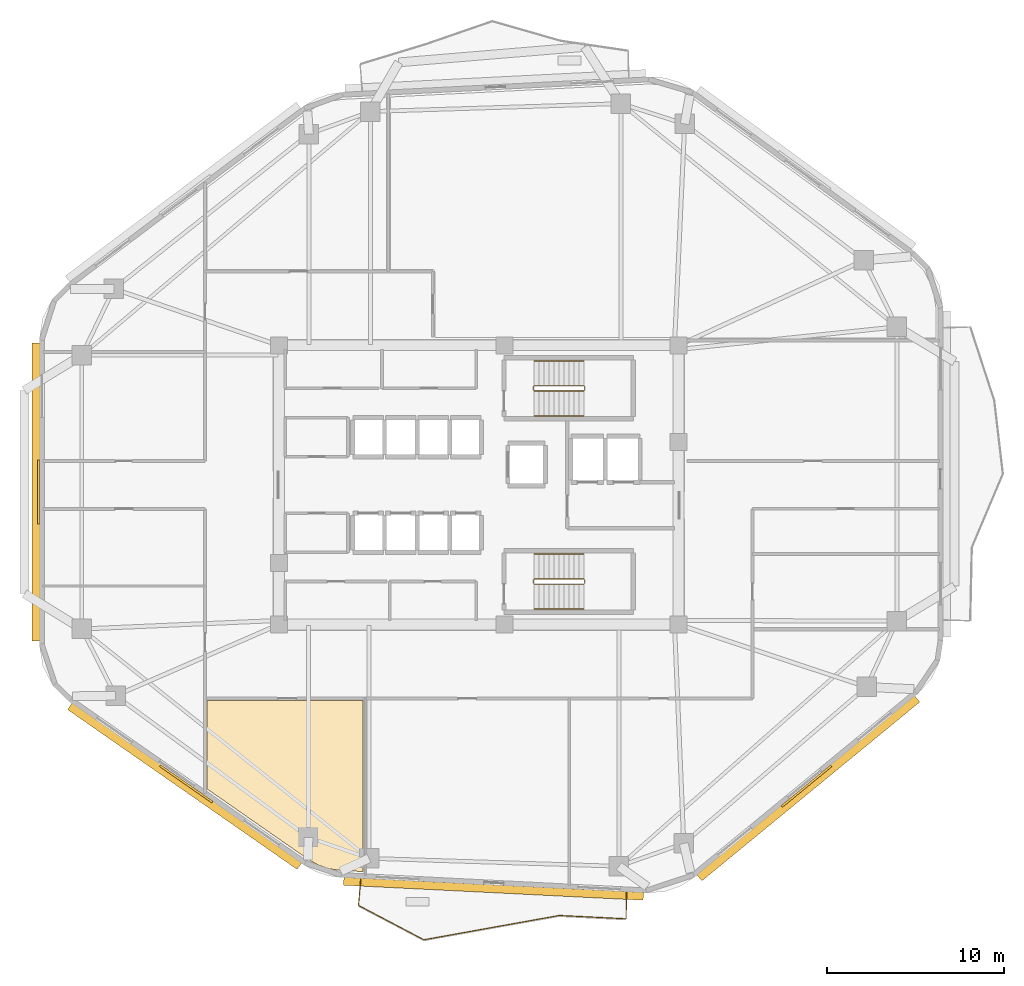
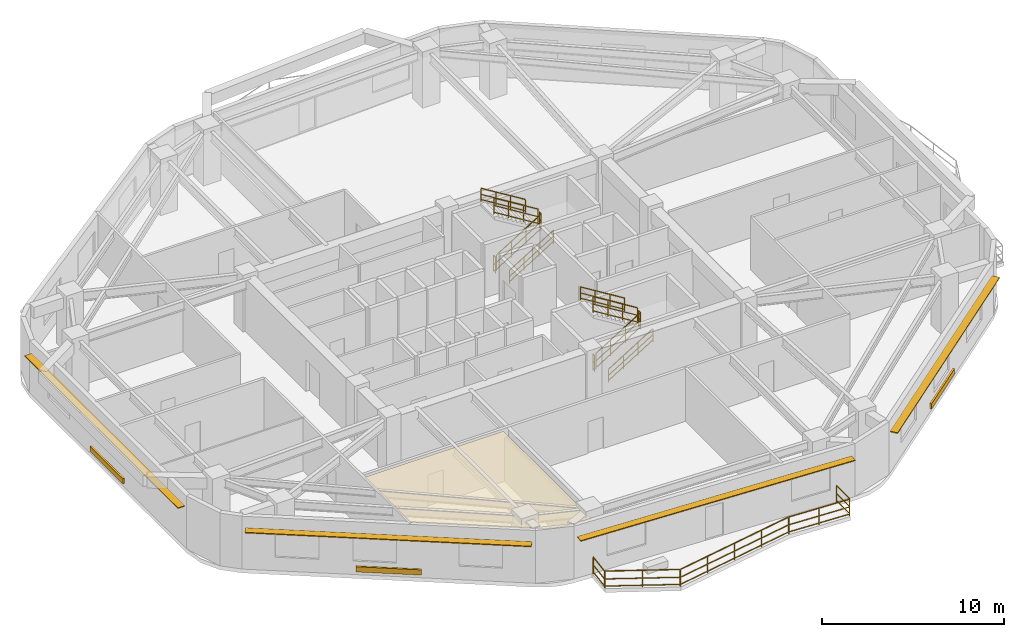
# One storey, part 7 of 8: 17 railings, 7 shading devices, 1 covering.
"""IFC4 building model written with IfcOpenShell, lengths in metres."""

from ifc_helpers import new_model, si_unit, direction, frame, origin, origin_2d, place, context, subcontext, project, spatial, polyline, rectangle, outline, extrude, material, layer, layer_set, type_object, element, save


model = new_model("IFC4")

# Units and contexts
model_context = context("Model", 3, precision=1e-05, world=origin(), true_north=direction((0.0, 1.0)))
body_context = subcontext(model_context, "Body", "Model", "MODEL_VIEW")
ifc_project = project(units=[si_unit("LENGTHUNIT", "METRE"), si_unit("AREAUNIT", "SQUARE_METRE"), si_unit("VOLUMEUNIT", "CUBIC_METRE"), si_unit("PLANEANGLEUNIT", "RADIAN"), si_unit("MASSUNIT", "GRAM", prefix="KILO")], contexts=[model_context])

# Site, building, storey
site_placement = place(None, origin())
site = spatial("IfcSite", under=ifc_project, at=site_placement, CompositionType="ELEMENT")
building_placement = place(site_placement, origin())
building = spatial("IfcBuilding", under=site, at=building_placement, Name="Zulverin Broadcast Headquarters", CompositionType="ELEMENT")
storey_placement = place(building_placement, frame((0.0, 0.0, 136.39990234375)))
storey = spatial("IfcBuildingStorey", under=building, at=storey_placement, Name="L34", CompositionType="ELEMENT", Elevation=136.39990234375)

# Covering
ifc_material_1 = material(Name="Perforated pale-metal acoustic baffle ceiling", Category="aluminium")
ifc_layer_1 = layer(ifc_material_1, 0.0400390625, Name="Perforated pale-metal acoustic baffle ceiling", Category="aluminium")
ifc_layer_set_1 = layer_set([ifc_layer_1], Name="Perforated pale-metal acoustic baffle ceiling")
covering_type = type_object("IfcCoveringType", Name="COV-CEIL-ACOU", PredefinedType="CEILING", material=ifc_layer_set_1)
covering_placement = place(storey_placement, frame((0.0, 0.0, 3.360107421875)))
element("IfcCovering", 1, at=covering_placement, inside=storey, type_object=covering_type, Name="L34 Acoustic Baffle Ceiling 03", PredefinedType="CEILING", context=body_context, shape_type="SweptSolid", body=[
    extrude(outline(polyline([(27.947998046875, 3.748046875), (28.56396484375, 3.535888671875), (29.22802734375, 3.444091796875), (30.47998046875, 3.3798828125), (30.47998046875, 13.031982421875), (21.66796875, 13.031982421875), (21.66796875, 8.0439453125), (27.367919921875, 4.075927734375), (27.947998046875, 3.748046875)])), origin(), (0.0, 0.0, 1.0), 0.0400390625),
])

# Railings
ifc_material_2 = material(Name="Brushed stainless steel & laminated glass balustrade", Category="steel")
railing_type_1 = type_object("IfcRailingType", Name="RL-GUARD-1150", PredefinedType="GUARDRAIL", material=ifc_material_2)
railing_1_placement = place(storey_placement, frame((30.344482421875, 2.94580078125, 0.0)))
element("IfcRailing", 2, at=railing_1_placement, inside=storey, type_object=railing_type_1, Name="L34 Vertical-Forest Balcony Guardrail BAL_S Segment 01", PredefinedType="GUARDRAIL", context=body_context, shape_type="SweptSolid", body=[
    extrude(rectangle(XDim=0.048095703125, YDim=0.048095703125, at=origin_2d()), frame((0.0, 0.0, 1.1259765625), z_axis=(-0.090580785215, -0.995889110971, 0.0), x_axis=(0.995889110971, -0.090580785215, 0.0)), (0.0, 0.0, 1.0), 1.46630859375),
    extrude(rectangle(XDim=0.0419921875, YDim=0.0419921875, at=origin_2d()), frame((0.0, 0.0, 0.597900390625), z_axis=(-0.090580785215, -0.995889110971, 0.0), x_axis=(0.995889110971, -0.090580785215, 0.0)), (0.0, 0.0, 1.0), 1.46630859375),
    extrude(rectangle(XDim=0.0419921875, YDim=0.0419921875, at=origin_2d()), frame((0.0, 0.0, 0.1201171875), z_axis=(-0.090580785215, -0.995889110971, 0.0), x_axis=(0.995889110971, -0.090580785215, 0.0)), (0.0, 0.0, 1.0), 1.46630859375),
    extrude(rectangle(XDim=0.0419921875, YDim=0.0419921875, at=origin_2d()), origin(), (0.0, 0.0, 1.0), 1.101806640625),
    extrude(rectangle(XDim=0.0419921875, YDim=0.0419921875, at=origin_2d()), frame((-0.1328125, -1.460205078125, 0.0)), (0.0, 0.0, 1.0), 1.101806640625),
])
railing_2_placement = place(storey_placement, frame((30.2236328125, 1.4638671875, 0.0)))
element("IfcRailing", 3, at=railing_2_placement, inside=storey, type_object=railing_type_1, Name="L34 Vertical-Forest Balcony Guardrail BAL_S Segment 02", PredefinedType="GUARDRAIL", context=body_context, shape_type="SweptSolid", body=[
    extrude(rectangle(XDim=0.048095703125, YDim=0.048095703125, at=origin_2d()), frame((0.0, 0.0, 1.1259765625), z_axis=(0.885038437672, -0.465517952224, 0.0), x_axis=(0.465517952224, 0.885038437672, 0.0)), (0.0, 0.0, 1.0), 4.139892578125),
    extrude(rectangle(XDim=0.0419921875, YDim=0.0419921875, at=origin_2d()), frame((0.0, 0.0, 0.597900390625), z_axis=(0.885038437672, -0.465517952224, 0.0), x_axis=(0.465517952224, 0.885038437672, 0.0)), (0.0, 0.0, 1.0), 4.139892578125),
    extrude(rectangle(XDim=0.0419921875, YDim=0.0419921875, at=origin_2d()), frame((0.0, 0.0, 0.1201171875), z_axis=(0.885038437672, -0.465517952224, 0.0), x_axis=(0.465517952224, 0.885038437672, 0.0)), (0.0, 0.0, 1.0), 4.139892578125),
    extrude(rectangle(XDim=0.0419921875, YDim=0.0419921875, at=origin_2d()), origin(), (0.0, 0.0, 1.0), 1.101806640625),
    extrude(rectangle(XDim=0.0419921875, YDim=0.0419921875, at=origin_2d()), frame((1.83203125, -0.963623046875, 0.0)), (0.0, 0.0, 1.0), 1.101806640625),
    extrude(rectangle(XDim=0.0419921875, YDim=0.0419921875, at=origin_2d()), frame((3.6640625, -1.92724609375, 0.0)), (0.0, 0.0, 1.0), 1.101806640625),
])
railing_3_placement = place(storey_placement, frame((33.915771484375, -0.4677734375, 0.0)))
element("IfcRailing", 4, at=railing_3_placement, inside=storey, type_object=railing_type_1, Name="L34 Vertical-Forest Balcony Guardrail BAL_S Segment 03", PredefinedType="GUARDRAIL", context=body_context, shape_type="SweptSolid", body=[
    extrude(rectangle(XDim=0.048095703125, YDim=0.048095703125, at=origin_2d()), frame((0.0, 0.0, 1.1259765625), z_axis=(0.984263327316, 0.176707958226, 0.0), x_axis=(-0.176707958226, 0.984263327316, 0.0)), (0.0, 0.0, 1.0), 7.737060546875),
    extrude(rectangle(XDim=0.0419921875, YDim=0.0419921875, at=origin_2d()), frame((0.0, 0.0, 0.597900390625), z_axis=(0.984263327316, 0.176707958226, 0.0), x_axis=(-0.176707958226, 0.984263327316, 0.0)), (0.0, 0.0, 1.0), 7.737060546875),
    extrude(rectangle(XDim=0.0419921875, YDim=0.0419921875, at=origin_2d()), frame((0.0, 0.0, 0.1201171875), z_axis=(0.984263327316, 0.176707958226, 0.0), x_axis=(-0.176707958226, 0.984263327316, 0.0)), (0.0, 0.0, 1.0), 7.737060546875),
    extrude(rectangle(XDim=0.0419921875, YDim=0.0419921875, at=origin_2d()), origin(), (0.0, 0.0, 1.0), 1.101806640625),
    extrude(rectangle(XDim=0.0419921875, YDim=0.0419921875, at=origin_2d()), frame((1.90380859375, 0.341796875, 0.0)), (0.0, 0.0, 1.0), 1.101806640625),
    extrude(rectangle(XDim=0.0419921875, YDim=0.0419921875, at=origin_2d()), frame((3.8076171875, 0.68359375, 0.0)), (0.0, 0.0, 1.0), 1.101806640625),
    extrude(rectangle(XDim=0.0419921875, YDim=0.0419921875, at=origin_2d()), frame((5.71142578125, 1.025390625, 0.0)), (0.0, 0.0, 1.0), 1.101806640625),
    extrude(rectangle(XDim=0.0419921875, YDim=0.0419921875, at=origin_2d()), frame((7.615234375, 1.3671875, 0.0)), (0.0, 0.0, 1.0), 1.101806640625),
])
railing_4_placement = place(storey_placement, frame((41.560791015625, 0.9013671875, 0.0)))
element("IfcRailing", 5, at=railing_4_placement, inside=storey, type_object=railing_type_1, Name="L34 Vertical-Forest Balcony Guardrail BAL_S Segment 04", PredefinedType="GUARDRAIL", context=body_context, shape_type="SweptSolid", body=[
    extrude(rectangle(XDim=0.048095703125, YDim=0.048095703125, at=origin_2d()), frame((0.0, 0.0, 1.1259765625), z_axis=(0.998744702678, -0.05009010754, 0.0), x_axis=(0.05009010754, 0.998744702678, 0.0)), (0.0, 0.0, 1.0), 3.7529296875),
    extrude(rectangle(XDim=0.0419921875, YDim=0.0419921875, at=origin_2d()), frame((0.0, 0.0, 0.597900390625), z_axis=(0.998744702678, -0.05009010754, 0.0), x_axis=(0.05009010754, 0.998744702678, 0.0)), (0.0, 0.0, 1.0), 3.7529296875),
    extrude(rectangle(XDim=0.0419921875, YDim=0.0419921875, at=origin_2d()), frame((0.0, 0.0, 0.1201171875), z_axis=(0.998744702678, -0.05009010754, 0.0), x_axis=(0.05009010754, 0.998744702678, 0.0)), (0.0, 0.0, 1.0), 3.7529296875),
    extrude(rectangle(XDim=0.0419921875, YDim=0.0419921875, at=origin_2d()), origin(), (0.0, 0.0, 1.0), 1.101806640625),
    extrude(rectangle(XDim=0.0419921875, YDim=0.0419921875, at=origin_2d()), frame((1.8740234375, -0.093994140625, 0.0)), (0.0, 0.0, 1.0), 1.101806640625),
    extrude(rectangle(XDim=0.0419921875, YDim=0.0419921875, at=origin_2d()), frame((3.748291015625, -0.18798828125, 0.0)), (0.0, 0.0, 1.0), 1.101806640625),
])
railing_5_placement = place(storey_placement, frame((45.32421875, 0.7275390625, 0.0)))
element("IfcRailing", 6, at=railing_5_placement, inside=storey, type_object=railing_type_1, Name="L34 Vertical-Forest Balcony Guardrail BAL_S Segment 05", PredefinedType="GUARDRAIL", context=body_context, shape_type="SweptSolid", body=[
    extrude(rectangle(XDim=0.048095703125, YDim=0.048095703125, at=origin_2d()), frame((0.0, 0.0, 1.1259765625), z_axis=(0.009658167329, 0.999953358814, 0.0), x_axis=(-0.999953358814, 0.009658167329, 0.0)), (0.0, 0.0, 1.0), 1.466064453125),
    extrude(rectangle(XDim=0.0419921875, YDim=0.0419921875, at=origin_2d()), frame((0.0, 0.0, 0.597900390625), z_axis=(0.009658167329, 0.999953358814, 0.0), x_axis=(-0.999953358814, 0.009658167329, 0.0)), (0.0, 0.0, 1.0), 1.466064453125),
    extrude(rectangle(XDim=0.0419921875, YDim=0.0419921875, at=origin_2d()), frame((0.0, 0.0, 0.1201171875), z_axis=(0.009658167329, 0.999953358814, 0.0), x_axis=(-0.999953358814, 0.009658167329, 0.0)), (0.0, 0.0, 1.0), 1.466064453125),
    extrude(rectangle(XDim=0.0419921875, YDim=0.0419921875, at=origin_2d()), origin(), (0.0, 0.0, 1.0), 1.101806640625),
    extrude(rectangle(XDim=0.0419921875, YDim=0.0419921875, at=origin_2d()), frame((0.01416015625, 1.466064453125, 0.0)), (0.0, 0.0, 1.0), 1.101806640625),
])
ifc_material_3 = material(Name="Painted galvanized steel tubular guardrail S355JR", Category="steel")
railing_type_2 = type_object("IfcRailingType", Name="RL-ST-GUARD", PredefinedType="GUARDRAIL", material=ifc_material_3)
railing_6_placement = place(storey_placement, frame((40.1298828125, 30.5, 0.1728515625)))
element("IfcRailing", 7, at=railing_6_placement, inside=storey, type_object=railing_type_2, Name="L34 ST-1 stair guard 1", PredefinedType="GUARDRAIL", context=body_context, shape_type="SweptSolid", body=[
    extrude(rectangle(XDim=0.048095703125, YDim=0.048095703125, at=origin_2d()), frame((0.0, 0.0, 1.076171875), z_axis=(0.851089632645, 0.0, 0.525020415988), x_axis=(0.0, 1.0, 0.0)), (0.0, 0.0, 1.0), 3.2900390625),
    extrude(rectangle(XDim=0.0419921875, YDim=0.0419921875, at=origin_2d()), frame((0.0, 0.0, 0.572021484375), z_axis=(0.851089632645, 0.0, 0.525020415988), x_axis=(0.0, 1.0, 0.0)), (0.0, 0.0, 1.0), 3.2900390625),
    extrude(rectangle(XDim=0.0419921875, YDim=0.0419921875, at=origin_2d()), frame((0.0, 0.0, 0.1201171875), z_axis=(0.851089632645, 0.0, 0.525020415988), x_axis=(0.0, 1.0, 0.0)), (0.0, 0.0, 1.0), 3.2900390625),
    extrude(rectangle(XDim=0.0419921875, YDim=0.0419921875, at=origin_2d()), origin(), (0.0, 0.0, 1.0), 1.052001953125),
    extrude(rectangle(XDim=0.0419921875, YDim=0.0419921875, at=origin_2d()), frame((0.933349609375, 0.0, 0.57568359375)), (0.0, 0.0, 1.0), 1.052001953125),
    extrude(rectangle(XDim=0.0419921875, YDim=0.0419921875, at=origin_2d()), frame((1.86669921875, 0.0, 1.151611328125)), (0.0, 0.0, 1.0), 1.052001953125),
    extrude(rectangle(XDim=0.0419921875, YDim=0.0419921875, at=origin_2d()), frame((2.800048828125, 0.0, 1.727294921875)), (0.0, 0.0, 1.0), 1.052001953125),
])
railing_7_placement = place(storey_placement, frame((42.97998046875, 30.550048828125, 1.900146484375)))
element("IfcRailing", 8, at=railing_7_placement, inside=storey, type_object=railing_type_2, Name="L34 ST-1 stair guard 2", PredefinedType="GUARDRAIL", context=body_context, shape_type="SweptSolid", body=[
    extrude(rectangle(XDim=0.048095703125, YDim=0.048095703125, at=origin_2d()), frame((0.0, 0.0, 1.076171875), z_axis=(0.0, 1.0, 0.0), x_axis=(-1.0, 0.0, 0.0)), (0.0, 0.0, 1.0), 0.199951171875),
    extrude(rectangle(XDim=0.0419921875, YDim=0.0419921875, at=origin_2d()), frame((0.0, 0.0, 0.572021484375), z_axis=(0.0, 1.0, 0.0), x_axis=(-1.0, 0.0, 0.0)), (0.0, 0.0, 1.0), 0.199951171875),
    extrude(rectangle(XDim=0.0419921875, YDim=0.0419921875, at=origin_2d()), frame((0.0, 0.0, 0.1201171875), z_axis=(0.0, 1.0, 0.0), x_axis=(-1.0, 0.0, 0.0)), (0.0, 0.0, 1.0), 0.199951171875),
    extrude(rectangle(XDim=0.0419921875, YDim=0.0419921875, at=origin_2d()), origin(), (0.0, 0.0, 1.0), 1.052001953125),
    extrude(rectangle(XDim=0.0419921875, YDim=0.0419921875, at=origin_2d()), frame((0.0, 0.199951171875, 0.0)), (0.0, 0.0, 1.0), 1.052001953125),
])
railing_8_placement = place(storey_placement, frame((42.929931640625, 30.800048828125, 2.07275390625)))
element("IfcRailing", 9, at=railing_8_placement, inside=storey, type_object=railing_type_2, Name="L34 ST-1 stair guard 3", PredefinedType="GUARDRAIL", context=body_context, shape_type="SweptSolid", body=[
    extrude(rectangle(XDim=0.048095703125, YDim=0.048095703125, at=origin_2d()), frame((0.0, 0.0, 1.076171875), z_axis=(-0.851089632645, 0.0, 0.525020415988), x_axis=(0.0, -1.0, 0.0)), (0.0, 0.0, 1.0), 3.2900390625),
    extrude(rectangle(XDim=0.0419921875, YDim=0.0419921875, at=origin_2d()), frame((0.0, 0.0, 0.572021484375), z_axis=(-0.851089632645, 0.0, 0.525020415988), x_axis=(0.0, -1.0, 0.0)), (0.0, 0.0, 1.0), 3.2900390625),
    extrude(rectangle(XDim=0.0419921875, YDim=0.0419921875, at=origin_2d()), frame((0.0, 0.0, 0.1201171875), z_axis=(-0.851089632645, 0.0, 0.525020415988), x_axis=(0.0, -1.0, 0.0)), (0.0, 0.0, 1.0), 3.2900390625),
    extrude(rectangle(XDim=0.0419921875, YDim=0.0419921875, at=origin_2d()), origin(), (0.0, 0.0, 1.0), 1.052001953125),
    extrude(rectangle(XDim=0.0419921875, YDim=0.0419921875, at=origin_2d()), frame((-0.933349609375, 0.0, 0.57568359375)), (0.0, 0.0, 1.0), 1.052001953125),
    extrude(rectangle(XDim=0.0419921875, YDim=0.0419921875, at=origin_2d()), frame((-1.86669921875, 0.0, 1.151611328125)), (0.0, 0.0, 1.0), 1.052001953125),
    extrude(rectangle(XDim=0.0419921875, YDim=0.0419921875, at=origin_2d()), frame((-2.800048828125, 0.0, 1.727294921875)), (0.0, 0.0, 1.0), 1.052001953125),
])
railing_9_placement = place(storey_placement, frame((40.080078125, 30.550048828125, 0.0)))
element("IfcRailing", 10, at=railing_9_placement, inside=storey, type_object=railing_type_2, Name="L34 ST-1 stair guard 4", PredefinedType="GUARDRAIL", context=body_context, shape_type="SweptSolid", body=[
    extrude(rectangle(XDim=0.048095703125, YDim=0.048095703125, at=origin_2d()), frame((0.0, 0.0, 1.076171875), z_axis=(0.0, 1.0, 0.0), x_axis=(-1.0, 0.0, 0.0)), (0.0, 0.0, 1.0), 0.199951171875),
    extrude(rectangle(XDim=0.0419921875, YDim=0.0419921875, at=origin_2d()), frame((0.0, 0.0, 0.572021484375), z_axis=(0.0, 1.0, 0.0), x_axis=(-1.0, 0.0, 0.0)), (0.0, 0.0, 1.0), 0.199951171875),
    extrude(rectangle(XDim=0.0419921875, YDim=0.0419921875, at=origin_2d()), frame((0.0, 0.0, 0.1201171875), z_axis=(0.0, 1.0, 0.0), x_axis=(-1.0, 0.0, 0.0)), (0.0, 0.0, 1.0), 0.199951171875),
    extrude(rectangle(XDim=0.0419921875, YDim=0.0419921875, at=origin_2d()), origin(), (0.0, 0.0, 1.0), 1.052001953125),
    extrude(rectangle(XDim=0.0419921875, YDim=0.0419921875, at=origin_2d()), frame((0.0, 0.199951171875, 0.0)), (0.0, 0.0, 1.0), 1.052001953125),
])
railing_10_placement = place(storey_placement, frame((40.1298828125, 19.60009765625, 0.1728515625)))
element("IfcRailing", 11, at=railing_10_placement, inside=storey, type_object=railing_type_2, Name="L34 ST-2 stair guard 1", PredefinedType="GUARDRAIL", context=body_context, shape_type="SweptSolid", body=[
    extrude(rectangle(XDim=0.048095703125, YDim=0.048095703125, at=origin_2d()), frame((0.0, 0.0, 1.076171875), z_axis=(0.851089632645, 0.0, 0.525020415988), x_axis=(0.0, 1.0, 0.0)), (0.0, 0.0, 1.0), 3.2900390625),
    extrude(rectangle(XDim=0.0419921875, YDim=0.0419921875, at=origin_2d()), frame((0.0, 0.0, 0.572021484375), z_axis=(0.851089632645, 0.0, 0.525020415988), x_axis=(0.0, 1.0, 0.0)), (0.0, 0.0, 1.0), 3.2900390625),
    extrude(rectangle(XDim=0.0419921875, YDim=0.0419921875, at=origin_2d()), frame((0.0, 0.0, 0.1201171875), z_axis=(0.851089632645, 0.0, 0.525020415988), x_axis=(0.0, 1.0, 0.0)), (0.0, 0.0, 1.0), 3.2900390625),
    extrude(rectangle(XDim=0.0419921875, YDim=0.0419921875, at=origin_2d()), origin(), (0.0, 0.0, 1.0), 1.052001953125),
    extrude(rectangle(XDim=0.0419921875, YDim=0.0419921875, at=origin_2d()), frame((0.933349609375, 0.0, 0.57568359375)), (0.0, 0.0, 1.0), 1.052001953125),
    extrude(rectangle(XDim=0.0419921875, YDim=0.0419921875, at=origin_2d()), frame((1.86669921875, 0.0, 1.151611328125)), (0.0, 0.0, 1.0), 1.052001953125),
    extrude(rectangle(XDim=0.0419921875, YDim=0.0419921875, at=origin_2d()), frame((2.800048828125, 0.0, 1.727294921875)), (0.0, 0.0, 1.0), 1.052001953125),
])
railing_11_placement = place(storey_placement, frame((42.97998046875, 19.64990234375, 1.900146484375)))
element("IfcRailing", 12, at=railing_11_placement, inside=storey, type_object=railing_type_2, Name="L34 ST-2 stair guard 2", PredefinedType="GUARDRAIL", context=body_context, shape_type="SweptSolid", body=[
    extrude(rectangle(XDim=0.048095703125, YDim=0.048095703125, at=origin_2d()), frame((0.0, 0.0, 1.076171875), z_axis=(0.0, 1.0, 0.0), x_axis=(-1.0, 0.0, 0.0)), (0.0, 0.0, 1.0), 0.2001953125),
    extrude(rectangle(XDim=0.0419921875, YDim=0.0419921875, at=origin_2d()), frame((0.0, 0.0, 0.572021484375), z_axis=(0.0, 1.0, 0.0), x_axis=(-1.0, 0.0, 0.0)), (0.0, 0.0, 1.0), 0.2001953125),
    extrude(rectangle(XDim=0.0419921875, YDim=0.0419921875, at=origin_2d()), frame((0.0, 0.0, 0.1201171875), z_axis=(0.0, 1.0, 0.0), x_axis=(-1.0, 0.0, 0.0)), (0.0, 0.0, 1.0), 0.2001953125),
    extrude(rectangle(XDim=0.0419921875, YDim=0.0419921875, at=origin_2d()), origin(), (0.0, 0.0, 1.0), 1.052001953125),
    extrude(rectangle(XDim=0.0419921875, YDim=0.0419921875, at=origin_2d()), frame((0.0, 0.2001953125, 0.0)), (0.0, 0.0, 1.0), 1.052001953125),
])
railing_12_placement = place(storey_placement, frame((42.929931640625, 19.89990234375, 2.07275390625)))
element("IfcRailing", 13, at=railing_12_placement, inside=storey, type_object=railing_type_2, Name="L34 ST-2 stair guard 3", PredefinedType="GUARDRAIL", context=body_context, shape_type="SweptSolid", body=[
    extrude(rectangle(XDim=0.048095703125, YDim=0.048095703125, at=origin_2d()), frame((0.0, 0.0, 1.076171875), z_axis=(-0.851089632645, 0.0, 0.525020415988), x_axis=(0.0, -1.0, 0.0)), (0.0, 0.0, 1.0), 3.2900390625),
    extrude(rectangle(XDim=0.0419921875, YDim=0.0419921875, at=origin_2d()), frame((0.0, 0.0, 0.572021484375), z_axis=(-0.851089632645, 0.0, 0.525020415988), x_axis=(0.0, -1.0, 0.0)), (0.0, 0.0, 1.0), 3.2900390625),
    extrude(rectangle(XDim=0.0419921875, YDim=0.0419921875, at=origin_2d()), frame((0.0, 0.0, 0.1201171875), z_axis=(-0.851089632645, 0.0, 0.525020415988), x_axis=(0.0, -1.0, 0.0)), (0.0, 0.0, 1.0), 3.2900390625),
    extrude(rectangle(XDim=0.0419921875, YDim=0.0419921875, at=origin_2d()), origin(), (0.0, 0.0, 1.0), 1.052001953125),
    extrude(rectangle(XDim=0.0419921875, YDim=0.0419921875, at=origin_2d()), frame((-0.933349609375, 0.0, 0.57568359375)), (0.0, 0.0, 1.0), 1.052001953125),
    extrude(rectangle(XDim=0.0419921875, YDim=0.0419921875, at=origin_2d()), frame((-1.86669921875, 0.0, 1.151611328125)), (0.0, 0.0, 1.0), 1.052001953125),
    extrude(rectangle(XDim=0.0419921875, YDim=0.0419921875, at=origin_2d()), frame((-2.800048828125, 0.0, 1.727294921875)), (0.0, 0.0, 1.0), 1.052001953125),
])
railing_13_placement = place(storey_placement, frame((40.080078125, 19.64990234375, 0.0)))
element("IfcRailing", 14, at=railing_13_placement, inside=storey, type_object=railing_type_2, Name="L34 ST-2 stair guard 4", PredefinedType="GUARDRAIL", context=body_context, shape_type="SweptSolid", body=[
    extrude(rectangle(XDim=0.048095703125, YDim=0.048095703125, at=origin_2d()), frame((0.0, 0.0, 1.076171875), z_axis=(0.0, 1.0, 0.0), x_axis=(-1.0, 0.0, 0.0)), (0.0, 0.0, 1.0), 0.2001953125),
    extrude(rectangle(XDim=0.0419921875, YDim=0.0419921875, at=origin_2d()), frame((0.0, 0.0, 0.572021484375), z_axis=(0.0, 1.0, 0.0), x_axis=(-1.0, 0.0, 0.0)), (0.0, 0.0, 1.0), 0.2001953125),
    extrude(rectangle(XDim=0.0419921875, YDim=0.0419921875, at=origin_2d()), frame((0.0, 0.0, 0.1201171875), z_axis=(0.0, 1.0, 0.0), x_axis=(-1.0, 0.0, 0.0)), (0.0, 0.0, 1.0), 0.2001953125),
    extrude(rectangle(XDim=0.0419921875, YDim=0.0419921875, at=origin_2d()), origin(), (0.0, 0.0, 1.0), 1.052001953125),
    extrude(rectangle(XDim=0.0419921875, YDim=0.0419921875, at=origin_2d()), frame((0.0, 0.2001953125, 0.0)), (0.0, 0.0, 1.0), 1.052001953125),
])
ifc_material_4 = material(Name="Brushed stainless steel 48 mm handrail", Category="steel")
railing_type_3 = type_object("IfcRailingType", Name="RL-ST-HAND", PredefinedType="HANDRAIL", material=ifc_material_4)
railing_14_placement = place(storey_placement, frame((40.1298828125, 29.10009765625, 0.1728515625)))
element("IfcRailing", 15, at=railing_14_placement, inside=storey, type_object=railing_type_3, Name="L34 ST-1 stair handrail 1", PredefinedType="HANDRAIL", context=body_context, shape_type="SweptSolid", body=[
    extrude(rectangle(XDim=0.048095703125, YDim=0.048095703125, at=origin_2d()), frame((0.0, 0.0, 0.8759765625), z_axis=(0.851089632645, 0.0, 0.525020415988), x_axis=(0.0, 1.0, 0.0)), (0.0, 0.0, 1.0), 3.2900390625),
    extrude(rectangle(XDim=0.0419921875, YDim=0.0419921875, at=origin_2d()), frame((0.0, 0.0, 0.468017578125), z_axis=(0.851089632645, 0.0, 0.525020415988), x_axis=(0.0, 1.0, 0.0)), (0.0, 0.0, 1.0), 3.2900390625),
    extrude(rectangle(XDim=0.0419921875, YDim=0.0419921875, at=origin_2d()), frame((0.0, 0.0, 0.1201171875), z_axis=(0.851089632645, 0.0, 0.525020415988), x_axis=(0.0, 1.0, 0.0)), (0.0, 0.0, 1.0), 3.2900390625),
    extrude(rectangle(XDim=0.0419921875, YDim=0.0419921875, at=origin_2d()), origin(), (0.0, 0.0, 1.0), 0.851806640625),
    extrude(rectangle(XDim=0.0419921875, YDim=0.0419921875, at=origin_2d()), frame((0.933349609375, 0.0, 0.57568359375)), (0.0, 0.0, 1.0), 0.851806640625),
    extrude(rectangle(XDim=0.0419921875, YDim=0.0419921875, at=origin_2d()), frame((1.86669921875, 0.0, 1.151611328125)), (0.0, 0.0, 1.0), 0.851806640625),
    extrude(rectangle(XDim=0.0419921875, YDim=0.0419921875, at=origin_2d()), frame((2.800048828125, 0.0, 1.727294921875)), (0.0, 0.0, 1.0), 0.851806640625),
])
railing_15_placement = place(storey_placement, frame((42.929931640625, 32.199951171875, 2.07275390625)))
element("IfcRailing", 16, at=railing_15_placement, inside=storey, type_object=railing_type_3, Name="L34 ST-1 stair handrail 2", PredefinedType="HANDRAIL", context=body_context, shape_type="SweptSolid", body=[
    extrude(rectangle(XDim=0.048095703125, YDim=0.048095703125, at=origin_2d()), frame((0.0, 0.0, 0.8759765625), z_axis=(-0.851089632645, 0.0, 0.525020415988), x_axis=(0.0, -1.0, 0.0)), (0.0, 0.0, 1.0), 3.2900390625),
    extrude(rectangle(XDim=0.0419921875, YDim=0.0419921875, at=origin_2d()), frame((0.0, 0.0, 0.468017578125), z_axis=(-0.851089632645, 0.0, 0.525020415988), x_axis=(0.0, -1.0, 0.0)), (0.0, 0.0, 1.0), 3.2900390625),
    extrude(rectangle(XDim=0.0419921875, YDim=0.0419921875, at=origin_2d()), frame((0.0, 0.0, 0.1201171875), z_axis=(-0.851089632645, 0.0, 0.525020415988), x_axis=(0.0, -1.0, 0.0)), (0.0, 0.0, 1.0), 3.2900390625),
    extrude(rectangle(XDim=0.0419921875, YDim=0.0419921875, at=origin_2d()), origin(), (0.0, 0.0, 1.0), 0.851806640625),
    extrude(rectangle(XDim=0.0419921875, YDim=0.0419921875, at=origin_2d()), frame((-0.933349609375, 0.0, 0.57568359375)), (0.0, 0.0, 1.0), 0.851806640625),
    extrude(rectangle(XDim=0.0419921875, YDim=0.0419921875, at=origin_2d()), frame((-1.86669921875, 0.0, 1.151611328125)), (0.0, 0.0, 1.0), 0.851806640625),
    extrude(rectangle(XDim=0.0419921875, YDim=0.0419921875, at=origin_2d()), frame((-2.800048828125, 0.0, 1.727294921875)), (0.0, 0.0, 1.0), 0.851806640625),
])
railing_16_placement = place(storey_placement, frame((40.1298828125, 18.199951171875, 0.1728515625)))
element("IfcRailing", 17, at=railing_16_placement, inside=storey, type_object=railing_type_3, Name="L34 ST-2 stair handrail 1", PredefinedType="HANDRAIL", context=body_context, shape_type="SweptSolid", body=[
    extrude(rectangle(XDim=0.048095703125, YDim=0.048095703125, at=origin_2d()), frame((0.0, 0.0, 0.8759765625), z_axis=(0.851089632645, 0.0, 0.525020415988), x_axis=(0.0, 1.0, 0.0)), (0.0, 0.0, 1.0), 3.2900390625),
    extrude(rectangle(XDim=0.0419921875, YDim=0.0419921875, at=origin_2d()), frame((0.0, 0.0, 0.468017578125), z_axis=(0.851089632645, 0.0, 0.525020415988), x_axis=(0.0, 1.0, 0.0)), (0.0, 0.0, 1.0), 3.2900390625),
    extrude(rectangle(XDim=0.0419921875, YDim=0.0419921875, at=origin_2d()), frame((0.0, 0.0, 0.1201171875), z_axis=(0.851089632645, 0.0, 0.525020415988), x_axis=(0.0, 1.0, 0.0)), (0.0, 0.0, 1.0), 3.2900390625),
    extrude(rectangle(XDim=0.0419921875, YDim=0.0419921875, at=origin_2d()), origin(), (0.0, 0.0, 1.0), 0.851806640625),
    extrude(rectangle(XDim=0.0419921875, YDim=0.0419921875, at=origin_2d()), frame((0.933349609375, 0.0, 0.57568359375)), (0.0, 0.0, 1.0), 0.851806640625),
    extrude(rectangle(XDim=0.0419921875, YDim=0.0419921875, at=origin_2d()), frame((1.86669921875, 0.0, 1.151611328125)), (0.0, 0.0, 1.0), 0.851806640625),
    extrude(rectangle(XDim=0.0419921875, YDim=0.0419921875, at=origin_2d()), frame((2.800048828125, 0.0, 1.727294921875)), (0.0, 0.0, 1.0), 0.851806640625),
])
railing_17_placement = place(storey_placement, frame((42.929931640625, 21.300048828125, 2.07275390625)))
element("IfcRailing", 18, at=railing_17_placement, inside=storey, type_object=railing_type_3, Name="L34 ST-2 stair handrail 2", PredefinedType="HANDRAIL", context=body_context, shape_type="SweptSolid", body=[
    extrude(rectangle(XDim=0.048095703125, YDim=0.048095703125, at=origin_2d()), frame((0.0, 0.0, 0.8759765625), z_axis=(-0.851089632645, 0.0, 0.525020415988), x_axis=(0.0, -1.0, 0.0)), (0.0, 0.0, 1.0), 3.2900390625),
    extrude(rectangle(XDim=0.0419921875, YDim=0.0419921875, at=origin_2d()), frame((0.0, 0.0, 0.468017578125), z_axis=(-0.851089632645, 0.0, 0.525020415988), x_axis=(0.0, -1.0, 0.0)), (0.0, 0.0, 1.0), 3.2900390625),
    extrude(rectangle(XDim=0.0419921875, YDim=0.0419921875, at=origin_2d()), frame((0.0, 0.0, 0.1201171875), z_axis=(-0.851089632645, 0.0, 0.525020415988), x_axis=(0.0, -1.0, 0.0)), (0.0, 0.0, 1.0), 3.2900390625),
    extrude(rectangle(XDim=0.0419921875, YDim=0.0419921875, at=origin_2d()), origin(), (0.0, 0.0, 1.0), 0.851806640625),
    extrude(rectangle(XDim=0.0419921875, YDim=0.0419921875, at=origin_2d()), frame((-0.933349609375, 0.0, 0.57568359375)), (0.0, 0.0, 1.0), 0.851806640625),
    extrude(rectangle(XDim=0.0419921875, YDim=0.0419921875, at=origin_2d()), frame((-1.86669921875, 0.0, 1.151611328125)), (0.0, 0.0, 1.0), 0.851806640625),
    extrude(rectangle(XDim=0.0419921875, YDim=0.0419921875, at=origin_2d()), frame((-2.800048828125, 0.0, 1.727294921875)), (0.0, 0.0, 1.0), 0.851806640625),
])

# Shading devices
ifc_material_5 = material(Name="Anodized pale-metal aluminium acoustic louvre", Category="aluminium")
shading_device_type_1 = type_object("IfcShadingDeviceType", Name="SHD-LOUVRE-350", PredefinedType="USERDEFINED", material=ifc_material_5)
for number, where, z_axis, x_axis, name in (
    (19, (55.4970703125, 8.19921875, 0.2451171875), (0.0, 0.0, 1.0), (0.77293958613, 0.634479626302, 0.0), "L34 Spandrel Intake Louvre 2"),
    (20, (12.159912109375, 24.802978515625, 0.2451171875), (0.0, 0.0, 1.0), (0.0, -1.0, 0.0), "L34 Spandrel Intake Louvre 7"),
    (21, (20.490478515625, 8.32958984375, 0.2451171875), (0.0, 0.0, 1.0), (0.820695732456, -0.57136548262, 0.0), "L34 Spandrel Intake Louvre 8"),
):
    element("IfcShadingDevice", number, at=place(storey_placement, frame(where, z_axis=z_axis, x_axis=x_axis)), inside=storey, type_object=shading_device_type_1, Name=name, ObjectType="LOUVRE", PredefinedType="USERDEFINED", context=body_context, shape_type="SweptSolid", body=[
        extrude(rectangle(XDim=3.60009765625, YDim=0.1201171875, at=origin_2d()), origin(), (0.0, 0.0, 1.0), 0.35009765625),
    ])
ifc_material_6 = material(Name="Anodized pale-metal aluminium sunshade", Category="aluminium")
ifc_layer_2 = layer(ifc_material_6, 0.06005859375, Name="Anodized pale-metal aluminium sunshade", Category="aluminium")
ifc_layer_set_2 = layer_set([ifc_layer_2], Name="Anodized pale-metal aluminium sunshade")
shading_device_type_2 = type_object("IfcShadingDeviceType", Name="SS-01_PALE_METAL_ALUMINIUM_SUNSHADE", PredefinedType="USERDEFINED", material=ifc_layer_set_2)
shading_device_1_placement = place(storey_placement, frame((37.83349609375, 2.409912109375, 2.7099609375), z_axis=(0.0, 0.0, 1.0), x_axis=(0.99874387485, -0.050106610841, 0.0)))
element("IfcShadingDevice", 22, at=shading_device_1_placement, inside=storey, type_object=shading_device_type_2, Name="L34 Horizontal Pale-Metal Sunshade Band 1", ObjectType="SUNSHADE", PredefinedType="USERDEFINED", context=body_context, shape_type="SweptSolid", body=[
    extrude(rectangle(XDim=16.932861328125, YDim=0.449951171875, at=origin_2d()), origin(), (0.0, 0.0, 1.0), 0.06005859375),
])
shading_device_2_placement = place(storey_placement, frame((55.598388671875, 8.075439453125, 2.7099609375), z_axis=(0.0, 0.0, 1.0), x_axis=(0.77293958613, 0.634479626302, 0.0)))
element("IfcShadingDevice", 23, at=shading_device_2_placement, inside=storey, type_object=shading_device_type_2, Name="L34 Horizontal Pale-Metal Sunshade Band 2", ObjectType="SUNSHADE", PredefinedType="USERDEFINED", context=body_context, shape_type="SweptSolid", body=[
    extrude(rectangle(XDim=15.90869140625, YDim=0.449951171875, at=origin_2d()), origin(), (0.0, 0.0, 1.0), 0.06005859375),
])
shading_device_3_placement = place(storey_placement, frame((12.0, 24.802978515625, 2.7099609375), z_axis=(0.0, 0.0, 1.0), x_axis=(0.0, -1.0, 0.0)))
element("IfcShadingDevice", 24, at=shading_device_3_placement, inside=storey, type_object=shading_device_type_2, Name="L34 Horizontal Pale-Metal Sunshade Band 7", ObjectType="SUNSHADE", PredefinedType="USERDEFINED", context=body_context, shape_type="SweptSolid", body=[
    extrude(rectangle(XDim=16.83203125, YDim=0.449951171875, at=origin_2d()), origin(), (0.0, 0.0, 1.0), 0.06005859375),
])
shading_device_4_placement = place(storey_placement, frame((20.399169921875, 8.1982421875, 2.7099609375), z_axis=(0.0, 0.0, 1.0), x_axis=(0.820695732456, -0.57136548262, 0.0)))
element("IfcShadingDevice", 25, at=shading_device_4_placement, inside=storey, type_object=shading_device_type_2, Name="L34 Horizontal Pale-Metal Sunshade Band 8", ObjectType="SUNSHADE", PredefinedType="USERDEFINED", context=body_context, shape_type="SweptSolid", body=[
    extrude(rectangle(XDim=15.785400390625, YDim=0.449951171875, at=origin_2d()), origin(), (0.0, 0.0, 1.0), 0.06005859375),
])

save(model, "model.ifc")
